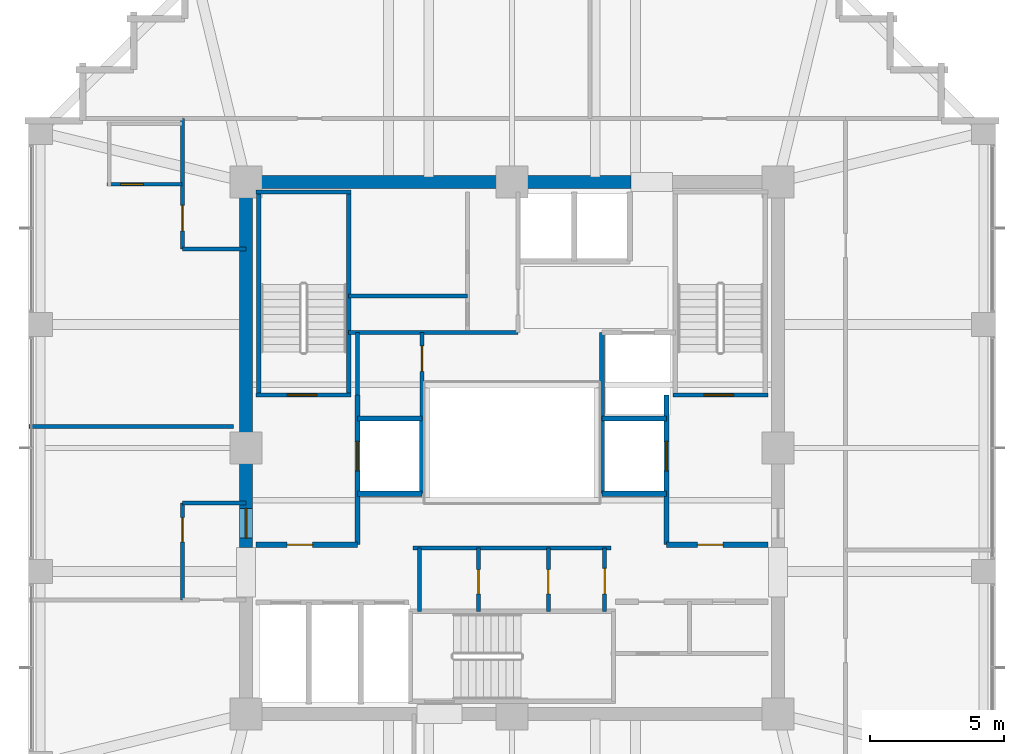
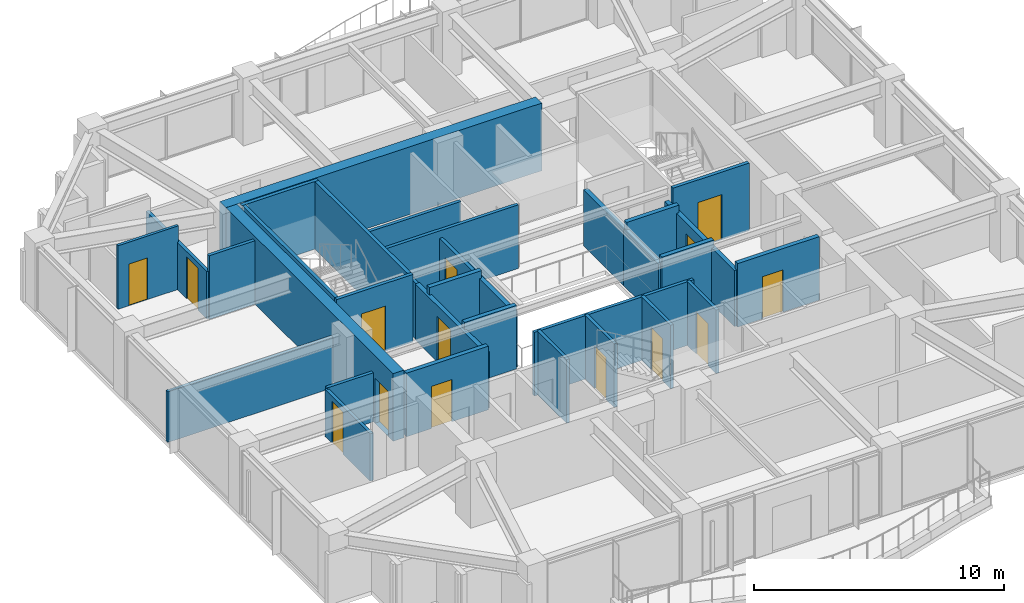
# One storey, part 27 of 31: 33 walls, 14 doors, 14 openings.
"""IFC4 building model written with IfcOpenShell, lengths in metres."""

from ifc_helpers import new_model, si_unit, direction, frame, frame_2d, origin, place, context, subcontext, project, spatial, rectangle, extrude, material, layer, layer_set, type_object, element, fill, save


model = new_model("IFC4")

# Units and contexts
model_context = context("Model", 3, precision=1e-05, world=origin(), true_north=direction((0.0, 1.0)))
body_context = subcontext(model_context, "Body", "Model", "MODEL_VIEW")
ifc_project = project(units=[si_unit("LENGTHUNIT", "METRE"), si_unit("AREAUNIT", "SQUARE_METRE"), si_unit("VOLUMEUNIT", "CUBIC_METRE"), si_unit("PLANEANGLEUNIT", "RADIAN"), si_unit("MASSUNIT", "GRAM", prefix="KILO")], contexts=[model_context])

# Site, building, storey
site_placement = place(None, origin())
site = spatial("IfcSite", under=ifc_project, at=site_placement, CompositionType="ELEMENT")
building_placement = place(site_placement, origin())
building = spatial("IfcBuilding", under=site, at=building_placement, Name="Kolvaren Belvedere", CompositionType="ELEMENT")
storey_placement = place(building_placement, frame((0.0, 0.0, 138.199951171875)))
storey = spatial("IfcBuildingStorey", under=building, at=storey_placement, Name="L40", CompositionType="ELEMENT", Elevation=138.199951171875)

# Wall
ifc_material_1 = material(Name="Concrete C50/60", Category="concrete")
ifc_layer_1 = layer(ifc_material_1, 0.5)
ifc_layer_set_1 = layer_set([ifc_layer_1], Name="Concrete C50/60")
wall_type_1 = type_object("IfcWallType", Name="CW-CORE-500", PredefinedType="SHEAR", material=ifc_layer_set_1)
wall_1_placement = place(storey_placement, frame((-10.14990234375, 9.89990234375, 0.0), z_axis=(0.0, 0.0, 1.0), x_axis=(1.0, 0.0, 0.0)))
element("IfcWall", 1, at=wall_1_placement, inside=storey, type_object=wall_type_1, Name="L40 North Core Shear Wall 1", PredefinedType="SHEAR", context=body_context, shape_type="SweptSolid", body=[
    extrude(rectangle(XDim=14.56982421875, YDim=0.5, at=frame_2d((7.284912109375, 0.0))), origin(), (0.0, 0.0, 1.0), 3.300048828125),
])

# Wall, opening, door
wall_2_placement = place(storey_placement, frame((-9.89990234375, -3.699951171875, 0.0), z_axis=(0.0, 0.0, 1.0), x_axis=(0.0, 1.0, 0.0)))
wall_2 = element("IfcWall", 2, at=wall_2_placement, inside=storey, type_object=wall_type_1, Name="L40 West Core Shear Wall 2", PredefinedType="SHEAR", context=body_context, shape_type="SweptSolid", body=[
    extrude(rectangle(XDim=13.349853515625, YDim=0.5, at=frame_2d((6.6748046875, 0.0))), origin(), (0.0, 0.0, 1.0), 3.300048828125),
])
opening_1_placement = place(wall_2_placement, frame((0.35009765625, 0.0, 0.0)))
opening_1 = element("IfcOpeningElement", 3, at=opening_1_placement, cuts=wall_2, Name="Opening D-FD90", PredefinedType="OPENING", context=body_context, shape_type="SweptSolid", body=[
    extrude(rectangle(XDim=1.10009765625, YDim=2.199951171875, at=frame_2d((0.550048828125, 1.10009765625))), frame((0.0, 0.260009765625, 0.0), z_axis=(0.0, -1.0, 0.0), x_axis=(1.0, 0.0, 0.0)), (0.0, 0.0, 1.0), 0.52001953125),
])
ifc_material_2 = material(Name="Painted hollow stainless steel", Category="steel")
door_type_1 = type_object("IfcDoorType", Name="DR-FD90-1100", OperationType="NOTDEFINED", PredefinedType="DOOR", material=ifc_material_2)
door_1_placement = place(opening_1_placement, origin())
door_1 = element("IfcDoor", 4, at=door_1_placement, inside=storey, type_object=door_type_1, Name="L40 West Firefighting Lobby Fire Door", OperationType="SINGLE_SWING_LEFT", OverallHeight=2.199951171875, OverallWidth=1.10009765625, PredefinedType="DOOR", context=body_context, shape_type="SweptSolid", body=[
    extrude(rectangle(XDim=1.10009765625, YDim=2.199951171875, at=frame_2d((0.550048828125, 1.10009765625))), frame((0.0, 0.02490234375, 0.0), z_axis=(0.0, -1.0, 0.0), x_axis=(1.0, 0.0, 0.0)), (0.0, 0.0, 1.0), 0.050048828125),
])
fill(opening_1, door_1)

ifc_material_3 = material(Name="Concrete C50/60", Category="concrete")
ifc_layer_2 = layer(ifc_material_3, 0.159912109375)
ifc_layer_set_2 = layer_set([ifc_layer_2], Name="Concrete C50/60")
wall_type_2 = type_object("IfcWallType", Name="CW-STAIR-160", PredefinedType="SHEAR", material=ifc_layer_set_2)
wall_3_placement = place(storey_placement, frame((-9.52001953125, 1.969970703125, 0.0), z_axis=(0.0, 0.0, 1.0), x_axis=(1.0, 0.0, 0.0)))
wall_3 = element("IfcWall", 5, at=wall_3_placement, inside=storey, type_object=wall_type_2, Name="L40 Stair ST-1 South Shear Wall", PredefinedType="SHEAR", context=body_context, shape_type="SweptSolid", body=[
    extrude(rectangle(XDim=3.52001953125, YDim=0.159912109375, at=frame_2d((1.760009765625, 0.0))), origin(), (0.0, 0.0, 1.0), 3.300048828125),
])
opening_2_placement = place(wall_3_placement, frame((1.14990234375, 0.0, 0.0)))
opening_2 = element("IfcOpeningElement", 6, at=opening_2_placement, cuts=wall_3, Name="Opening D-FD90", PredefinedType="OPENING", context=body_context, shape_type="SweptSolid", body=[
    extrude(rectangle(XDim=1.10009765625, YDim=2.199951171875, at=frame_2d((0.550048828125, 1.10009765625))), frame((0.0, 0.08984375, 0.0), z_axis=(0.0, -1.0, 0.0), x_axis=(1.0, 0.0, 0.0)), (0.0, 0.0, 1.0), 0.179931640625),
])
door_2_placement = place(opening_2_placement, origin())
door_2 = element("IfcDoor", 7, at=door_2_placement, inside=storey, type_object=door_type_1, Name="L40 Stair ST-1 Fire Door", OperationType="SINGLE_SWING_LEFT", OverallHeight=2.199951171875, OverallWidth=1.10009765625, PredefinedType="DOOR", context=body_context, shape_type="SweptSolid", body=[
    extrude(rectangle(XDim=1.10009765625, YDim=2.199951171875, at=frame_2d((0.550048828125, 1.10009765625))), frame((0.0, 0.02490234375, 0.0), z_axis=(0.0, -1.0, 0.0), x_axis=(1.0, 0.0, 0.0)), (0.0, 0.0, 1.0), 0.050048828125),
])
fill(opening_2, door_2)

# Walls
wall_4_placement = place(storey_placement, frame((-9.52001953125, 9.530029296875, 0.0), z_axis=(0.0, 0.0, 1.0), x_axis=(1.0, 0.0, 0.0)))
element("IfcWall", 8, at=wall_4_placement, inside=storey, type_object=wall_type_2, Name="L40 Stair ST-1 North Shear Wall", PredefinedType="SHEAR", context=body_context, shape_type="SweptSolid", body=[
    extrude(rectangle(XDim=3.52001953125, YDim=0.159912109375, at=frame_2d((1.760009765625, 0.0))), origin(), (0.0, 0.0, 1.0), 3.300048828125),
])
for number, where, z_axis, x_axis, name in (
    (9, (-9.429931640625, 1.969970703125, 0.0), (0.0, 0.0, 1.0), (0.0, 1.0, 0.0), "L40 Stair ST-1 West Shear Wall"),
    (10, (-6.080078125, 1.969970703125, 0.0), (0.0, 0.0, 1.0), (0.0, 1.0, 0.0), "L40 Stair ST-1 East Shear Wall"),
):
    element("IfcWall", number, at=place(storey_placement, frame(where, z_axis=z_axis, x_axis=x_axis)), inside=storey, type_object=wall_type_2, Name=name, PredefinedType="SHEAR", context=body_context, shape_type="SweptSolid", body=[
        extrude(rectangle(XDim=7.56005859375, YDim=0.159912109375, at=frame_2d((3.780029296875, 0.0))), origin(), (0.0, 0.0, 1.0), 3.300048828125),
    ])

# Wall, opening, door
wall_5_placement = place(storey_placement, frame((6.0, 1.969970703125, 0.0), z_axis=(0.0, 0.0, 1.0), x_axis=(1.0, 0.0, 0.0)))
wall_5 = element("IfcWall", 11, at=wall_5_placement, inside=storey, type_object=wall_type_2, Name="L40 Stair ST-2 South Shear Wall", PredefinedType="SHEAR", context=body_context, shape_type="SweptSolid", body=[
    extrude(rectangle(XDim=3.52001953125, YDim=0.159912109375, at=frame_2d((1.760009765625, 0.0))), origin(), (0.0, 0.0, 1.0), 3.300048828125),
])
opening_3_placement = place(wall_5_placement, frame((1.14990234375, 0.0, 0.0)))
opening_3 = element("IfcOpeningElement", 12, at=opening_3_placement, cuts=wall_5, Name="Opening D-FD90", PredefinedType="OPENING", context=body_context, shape_type="SweptSolid", body=[
    extrude(rectangle(XDim=1.10009765625, YDim=2.199951171875, at=frame_2d((0.550048828125, 1.10009765625))), frame((0.0, 0.08984375, 0.0), z_axis=(0.0, -1.0, 0.0), x_axis=(1.0, 0.0, 0.0)), (0.0, 0.0, 1.0), 0.179931640625),
])
door_3_placement = place(opening_3_placement, origin())
door_3 = element("IfcDoor", 13, at=door_3_placement, inside=storey, type_object=door_type_1, Name="L40 Stair ST-2 Fire Door", OperationType="SINGLE_SWING_RIGHT", OverallHeight=2.199951171875, OverallWidth=1.10009765625, PredefinedType="DOOR", context=body_context, shape_type="SweptSolid", body=[
    extrude(rectangle(XDim=1.10009765625, YDim=2.199951171875, at=frame_2d((0.550048828125, 1.10009765625))), frame((0.0, 0.02490234375, 0.0), z_axis=(0.0, -1.0, 0.0), x_axis=(1.0, 0.0, 0.0)), (0.0, 0.0, 1.0), 0.050048828125),
])
fill(opening_3, door_3)

ifc_material_4 = material(Name="Gypsum fire-rated partition assembly", Category="gypsum")
ifc_layer_3 = layer(ifc_material_4, 0.14990234375)
ifc_layer_set_3 = layer_set([ifc_layer_3], Name="Gypsum fire-rated partition assembly")
wall_type_3 = type_object("IfcWallType", Name="WL-CORR-150", PredefinedType="PARTITIONING", material=ifc_layer_set_3)
wall_6_placement = place(storey_placement, frame((-12.260009765625, 7.39990234375, 0.0), z_axis=(0.0, 0.0, 1.0), x_axis=(0.0, 1.0, 0.0)))
wall_6 = element("IfcWall", 14, at=wall_6_placement, inside=storey, type_object=wall_type_3, Name="L40 NW Corridor End Wall", PredefinedType="PARTITIONING", context=body_context, shape_type="SweptSolid", body=[
    extrude(rectangle(XDim=4.860107421875, YDim=0.14990234375, at=frame_2d((2.43017578125, 0.0))), origin(), (0.0, 0.0, 1.0), 2.31201171875),
])
opening_4_placement = place(wall_6_placement, frame((0.682861328125, 0.0, 0.0)))
opening_4 = element("IfcOpeningElement", 15, at=opening_4_placement, cuts=wall_6, Name="Opening D-FD60", PredefinedType="OPENING", context=body_context, shape_type="SweptSolid", body=[
    extrude(rectangle(XDim=0.949951171875, YDim=2.06005859375, at=frame_2d((0.47509765625, 1.030029296875))), frame((0.0, 0.0849609375, 0.0), z_axis=(0.0, -1.0, 0.0), x_axis=(1.0, 0.0, 0.0)), (0.0, 0.0, 1.0), 0.169921875),
])
ifc_material_5 = material(Name="Acoustic white-oak fire door leaf", Category="timber")
door_type_2 = type_object("IfcDoorType", Name="DR-FD60-950", OperationType="NOTDEFINED", PredefinedType="DOOR", material=ifc_material_5)
door_4_placement = place(opening_4_placement, origin())
door_4 = element("IfcDoor", 16, at=door_4_placement, inside=storey, type_object=door_type_2, Name="L40 Panoramic Corner Hospitality Suite 4005 Entry Door", OperationType="SINGLE_SWING_RIGHT", OverallHeight=2.06005859375, OverallWidth=0.949951171875, PredefinedType="DOOR", context=body_context, shape_type="SweptSolid", body=[
    extrude(rectangle(XDim=0.949951171875, YDim=2.06005859375, at=frame_2d((0.47509765625, 1.030029296875))), frame((0.0, 0.02490234375, 0.0), z_axis=(0.0, -1.0, 0.0), x_axis=(1.0, 0.0, 0.0)), (0.0, 0.0, 1.0), 0.050048828125),
])
fill(opening_4, door_4)

# Wall
wall_7_placement = place(storey_placement, frame((-12.260009765625, 7.39990234375, 0.0), z_axis=(0.0, 0.0, 1.0), x_axis=(1.0, 0.0, 0.0)))
element("IfcWall", 17, at=wall_7_placement, inside=storey, type_object=wall_type_3, Name="L40 NW Core Closure Wall", PredefinedType="PARTITIONING", context=body_context, shape_type="SweptSolid", body=[
    extrude(rectangle(XDim=2.360107421875, YDim=0.14990234375, at=frame_2d((1.18017578125, 0.0))), origin(), (0.0, 0.0, 1.0), 3.10009765625),
])

# Wall, opening, door
wall_8_placement = place(storey_placement, frame((-12.260009765625, -5.64990234375, 0.0), z_axis=(0.0, 0.0, 1.0), x_axis=(0.0, 1.0, 0.0)))
wall_8 = element("IfcWall", 18, at=wall_8_placement, inside=storey, type_object=wall_type_3, Name="L40 West FSAE Pocket Wall", PredefinedType="PARTITIONING", context=body_context, shape_type="SweptSolid", body=[
    extrude(rectangle(XDim=3.599853515625, YDim=0.14990234375, at=frame_2d((1.7998046875, 0.0))), origin(), (0.0, 0.0, 1.0), 2.31201171875),
])
opening_5_placement = place(wall_8_placement, frame((2.15625, 0.0, 0.0)))
opening_5 = element("IfcOpeningElement", 19, at=opening_5_placement, cuts=wall_8, Name="Opening D-INT90", PredefinedType="OPENING", context=body_context, shape_type="SweptSolid", body=[
    extrude(rectangle(XDim=0.89990234375, YDim=2.06005859375, at=frame_2d((0.449951171875, 1.030029296875))), frame((0.0, 0.0849609375, 0.0), z_axis=(0.0, -1.0, 0.0), x_axis=(1.0, 0.0, 0.0)), (0.0, 0.0, 1.0), 0.169921875),
])
ifc_material_6 = material(Name="Stained Pacific white oak", Category="timber")
door_type_3 = type_object("IfcDoorType", Name="DR-INT-900", OperationType="NOTDEFINED", PredefinedType="DOOR", material=ifc_material_6)
door_5_placement = place(opening_5_placement, origin())
door_5 = element("IfcDoor", 20, at=door_5_placement, inside=storey, type_object=door_type_3, Name="L40 Lounge 4006 Door", OperationType="SINGLE_SWING_LEFT", OverallHeight=2.06005859375, OverallWidth=0.89990234375, PredefinedType="DOOR", context=body_context, shape_type="SweptSolid", body=[
    extrude(rectangle(XDim=0.89990234375, YDim=2.06005859375, at=frame_2d((0.449951171875, 1.030029296875))), frame((0.0, 0.02490234375, 0.0), z_axis=(0.0, -1.0, 0.0), x_axis=(1.0, 0.0, 0.0)), (0.0, 0.0, 1.0), 0.050048828125),
])
fill(opening_5, door_5)

# Walls
wall_9_placement = place(storey_placement, frame((-12.260009765625, -2.050048828125, 0.0), z_axis=(0.0, 0.0, 1.0), x_axis=(1.0, 0.0, 0.0)))
element("IfcWall", 21, at=wall_9_placement, inside=storey, type_object=wall_type_3, Name="L40 West Pocket North Closure Wall", PredefinedType="PARTITIONING", context=body_context, shape_type="SweptSolid", body=[
    extrude(rectangle(XDim=2.360107421875, YDim=0.14990234375, at=frame_2d((1.18017578125, 0.0))), origin(), (0.0, 0.0, 1.0), 2.38916015625),
])
ifc_material_7 = material(Name="Gypsum acoustic partition assembly", Category="gypsum")
ifc_layer_4 = layer(ifc_material_7, 0.14990234375)
ifc_layer_set_4 = layer_set([ifc_layer_4], Name="Gypsum acoustic partition assembly")
wall_type_4 = type_object("IfcWallType", Name="WL-PART-150", PredefinedType="PARTITIONING", material=ifc_layer_set_4)
wall_10_placement = place(storey_placement, frame((-6.080078125, 4.300048828125, 0.0), z_axis=(0.0, 0.0, 1.0), x_axis=(1.0, 0.0, 0.0)))
element("IfcWall", 22, at=wall_10_placement, inside=storey, type_object=wall_type_4, Name="L40 Reclaimed Salon South Wall", PredefinedType="PARTITIONING", context=body_context, shape_type="SweptSolid", body=[
    extrude(rectangle(XDim=6.300048828125, YDim=0.14990234375, at=frame_2d((3.14990234375, 0.0))), origin(), (0.0, 0.0, 1.0), 3.10009765625),
])
wall_11_placement = place(storey_placement, frame((-6.080078125, 5.64990234375, 0.0), z_axis=(0.0, 0.0, 1.0), x_axis=(1.0, 0.0, 0.0)))
element("IfcWall", 23, at=wall_11_placement, inside=storey, type_object=wall_type_4, Name="L40 Reclaimed Tearoom H-Divider", PredefinedType="PARTITIONING", context=body_context, shape_type="SweptSolid", body=[
    extrude(rectangle(XDim=4.43017578125, YDim=0.14990234375, at=frame_2d((2.215087890625, 0.0))), origin(), (0.0, 0.0, 1.0), 3.10009765625),
])
wall_12_placement = place(storey_placement, frame((-3.679931640625, -3.719970703125, 0.0), z_axis=(0.0, 0.0, 1.0), x_axis=(1.0, 0.0, 0.0)))
element("IfcWall", 24, at=wall_12_placement, inside=storey, type_object=wall_type_4, Name="L40 South Core Service North Wall", PredefinedType="PARTITIONING", context=body_context, shape_type="SweptSolid", body=[
    extrude(rectangle(XDim=7.35986328125, YDim=0.14990234375, at=frame_2d((3.679931640625, 0.0))), origin(), (0.0, 0.0, 1.0), 3.10009765625),
])

# Wall, opening, door
wall_13_placement = place(storey_placement, frame((3.449951171875, -6.080078125, 0.0), z_axis=(0.0, 0.0, 1.0), x_axis=(0.0, 1.0, 0.0)))
wall_13 = element("IfcWall", 25, at=wall_13_placement, inside=storey, type_object=wall_type_4, Name="L40 South Core Service East Wall", PredefinedType="PARTITIONING", context=body_context, shape_type="SweptSolid", body=[
    extrude(rectangle(XDim=2.360107421875, YDim=0.14990234375, at=frame_2d((1.18017578125, 0.0))), origin(), (0.0, 0.0, 1.0), 3.10009765625),
])
opening_6_placement = place(wall_13_placement, frame((0.64990234375, 0.0, 0.0)))
opening_6 = element("IfcOpeningElement", 26, at=opening_6_placement, cuts=wall_13, Name="Opening D-FD60", PredefinedType="OPENING", context=body_context, shape_type="SweptSolid", body=[
    extrude(rectangle(XDim=0.949951171875, YDim=2.06005859375, at=frame_2d((0.47509765625, 1.030029296875))), frame((0.0, 0.0849609375, 0.0), z_axis=(0.0, -1.0, 0.0), x_axis=(1.0, 0.0, 0.0)), (0.0, 0.0, 1.0), 0.169921875),
])
door_6_placement = place(opening_6_placement, origin())
door_6 = element("IfcDoor", 27, at=door_6_placement, inside=storey, type_object=door_type_2, Name="L40 Core Service Room Door", OperationType="SINGLE_SWING_LEFT", OverallHeight=2.06005859375, OverallWidth=0.949951171875, PredefinedType="DOOR", context=body_context, shape_type="SweptSolid", body=[
    extrude(rectangle(XDim=0.949951171875, YDim=2.06005859375, at=frame_2d((0.47509765625, 1.030029296875))), frame((0.0, 0.02490234375, 0.0), z_axis=(0.0, -1.0, 0.0), x_axis=(1.0, 0.0, 0.0)), (0.0, 0.0, 1.0), 0.050048828125),
])
fill(opening_6, door_6)

# Wall
wall_14_placement = place(storey_placement, frame((-3.449951171875, -6.080078125, 0.0), z_axis=(0.0, 0.0, 1.0), x_axis=(0.0, 1.0, 0.0)))
element("IfcWall", 28, at=wall_14_placement, inside=storey, type_object=wall_type_4, Name="L40 South Core Service West Wall", PredefinedType="PARTITIONING", context=body_context, shape_type="SweptSolid", body=[
    extrude(rectangle(XDim=2.360107421875, YDim=0.14990234375, at=frame_2d((1.18017578125, 0.0))), origin(), (0.0, 0.0, 1.0), 3.10009765625),
])

# Wall, opening, door
wall_15_placement = place(storey_placement, frame((1.35009765625, -6.080078125, 0.0), z_axis=(0.0, 0.0, 1.0), x_axis=(0.0, 1.0, 0.0)))
wall_15 = element("IfcWall", 29, at=wall_15_placement, inside=storey, type_object=wall_type_4, Name="L40 Core Service Divider 1", PredefinedType="PARTITIONING", context=body_context, shape_type="SweptSolid", body=[
    extrude(rectangle(XDim=2.360107421875, YDim=0.14990234375, at=frame_2d((1.18017578125, 0.0))), origin(), (0.0, 0.0, 1.0), 3.10009765625),
])
opening_7_placement = place(wall_15_placement, frame((0.64990234375, 0.0, 0.0)))
opening_7 = element("IfcOpeningElement", 30, at=opening_7_placement, cuts=wall_15, Name="Opening D-INT90", PredefinedType="OPENING", context=body_context, shape_type="SweptSolid", body=[
    extrude(rectangle(XDim=0.89990234375, YDim=2.06005859375, at=frame_2d((0.449951171875, 1.030029296875))), frame((0.0, 0.0849609375, 0.0), z_axis=(0.0, -1.0, 0.0), x_axis=(1.0, 0.0, 0.0)), (0.0, 0.0, 1.0), 0.169921875),
])
door_7_placement = place(opening_7_placement, origin())
door_7 = element("IfcDoor", 31, at=door_7_placement, inside=storey, type_object=door_type_3, Name="L40 Data Closet Door", OperationType="SINGLE_SWING_RIGHT", OverallHeight=2.06005859375, OverallWidth=0.89990234375, PredefinedType="DOOR", context=body_context, shape_type="SweptSolid", body=[
    extrude(rectangle(XDim=0.89990234375, YDim=2.06005859375, at=frame_2d((0.449951171875, 1.030029296875))), frame((0.0, 0.02490234375, 0.0), z_axis=(0.0, -1.0, 0.0), x_axis=(1.0, 0.0, 0.0)), (0.0, 0.0, 1.0), 0.050048828125),
])
fill(opening_7, door_7)

wall_16_placement = place(storey_placement, frame((-1.25, -6.080078125, 0.0), z_axis=(0.0, 0.0, 1.0), x_axis=(0.0, 1.0, 0.0)))
wall_16 = element("IfcWall", 32, at=wall_16_placement, inside=storey, type_object=wall_type_4, Name="L40 Core Service Divider 2", PredefinedType="PARTITIONING", context=body_context, shape_type="SweptSolid", body=[
    extrude(rectangle(XDim=2.360107421875, YDim=0.14990234375, at=frame_2d((1.18017578125, 0.0))), origin(), (0.0, 0.0, 1.0), 3.10009765625),
])
opening_8_placement = place(wall_16_placement, frame((0.64990234375, 0.0, 0.0)))
opening_8 = element("IfcOpeningElement", 33, at=opening_8_placement, cuts=wall_16, Name="Opening D-INT90", PredefinedType="OPENING", context=body_context, shape_type="SweptSolid", body=[
    extrude(rectangle(XDim=0.89990234375, YDim=2.06005859375, at=frame_2d((0.449951171875, 1.030029296875))), frame((0.0, 0.0849609375, 0.0), z_axis=(0.0, -1.0, 0.0), x_axis=(1.0, 0.0, 0.0)), (0.0, 0.0, 1.0), 0.169921875),
])
door_8_placement = place(opening_8_placement, origin())
door_8 = element("IfcDoor", 34, at=door_8_placement, inside=storey, type_object=door_type_3, Name="L40 Janitor Room Door", OperationType="SINGLE_SWING_LEFT", OverallHeight=2.06005859375, OverallWidth=0.89990234375, PredefinedType="DOOR", context=body_context, shape_type="SweptSolid", body=[
    extrude(rectangle(XDim=0.89990234375, YDim=2.06005859375, at=frame_2d((0.449951171875, 1.030029296875))), frame((0.0, 0.02490234375, 0.0), z_axis=(0.0, -1.0, 0.0), x_axis=(1.0, 0.0, 0.0)), (0.0, 0.0, 1.0), 0.050048828125),
])
fill(opening_8, door_8)

wall_17_placement = place(storey_placement, frame((-3.35009765625, 1.10009765625, 0.0), z_axis=(0.0, 0.0, 1.0), x_axis=(0.0, 1.0, 0.0)))
wall_17 = element("IfcWall", 35, at=wall_17_placement, inside=storey, type_object=wall_type_4, Name="L40 NW Service Room East Wall", PredefinedType="PARTITIONING", context=body_context, shape_type="SweptSolid", body=[
    extrude(rectangle(XDim=3.199951171875, YDim=0.14990234375, at=frame_2d((1.60009765625, 0.0))), origin(), (0.0, 0.0, 1.0), 2.735107421875),
])
opening_9_placement = place(wall_17_placement, frame((1.75, 0.0, 0.0)))
opening_9 = element("IfcOpeningElement", 36, at=opening_9_placement, cuts=wall_17, Name="Opening D-FD60", PredefinedType="OPENING", context=body_context, shape_type="SweptSolid", body=[
    extrude(rectangle(XDim=0.949951171875, YDim=2.06005859375, at=frame_2d((0.47509765625, 1.030029296875))), frame((0.0, 0.0849609375, 0.0), z_axis=(0.0, -1.0, 0.0), x_axis=(1.0, 0.0, 0.0)), (0.0, 0.0, 1.0), 0.169921875),
])
door_9_placement = place(opening_9_placement, origin())
door_9 = element("IfcDoor", 37, at=door_9_placement, inside=storey, type_object=door_type_2, Name="L40 NW Core Store Door", OperationType="SINGLE_SWING_LEFT", OverallHeight=2.06005859375, OverallWidth=0.949951171875, PredefinedType="DOOR", context=body_context, shape_type="SweptSolid", body=[
    extrude(rectangle(XDim=0.949951171875, YDim=2.06005859375, at=frame_2d((0.47509765625, 1.030029296875))), frame((0.0, 0.02490234375, 0.0), z_axis=(0.0, -1.0, 0.0), x_axis=(1.0, 0.0, 0.0)), (0.0, 0.0, 1.0), 0.050048828125),
])
fill(opening_9, door_9)

# Walls
wall_18_placement = place(storey_placement, frame((-5.75, 1.969970703125, 0.0), z_axis=(0.0, 0.0, 1.0), x_axis=(0.0, 1.0, 0.0)))
element("IfcWall", 38, at=wall_18_placement, inside=storey, type_object=wall_type_4, Name="L40 NW Service Room West Wall", PredefinedType="PARTITIONING", context=body_context, shape_type="SweptSolid", body=[
    extrude(rectangle(XDim=2.330078125, YDim=0.14990234375, at=frame_2d((1.1650390625, 0.0))), origin(), (0.0, 0.0, 1.0), 2.735107421875),
])
wall_19_placement = place(storey_placement, frame((-17.97998046875, 0.800048828125, 0.0), z_axis=(0.0, 0.0, 1.0), x_axis=(1.0, 0.0, 0.0)))
element("IfcWall", 39, at=wall_19_placement, inside=storey, type_object=wall_type_4, Name="L40 West Upper Suite Divider", PredefinedType="PARTITIONING", context=body_context, shape_type="SweptSolid", body=[
    extrude(rectangle(XDim=7.619873046875, YDim=0.14990234375, at=frame_2d((3.81005859375, 0.0))), origin(), (0.0, 0.0, 1.0), 2.468994140625),
])

# Wall, opening, door
ifc_material_8 = material(Name="Concrete C50/60", Category="concrete")
ifc_layer_5 = layer(ifc_material_8, 0.199951171875)
ifc_layer_set_5 = layer_set([ifc_layer_5], Name="Concrete C50/60")
wall_type_5 = type_object("IfcWallType", Name="WL-SHAFT-200", PredefinedType="SOLIDWALL", material=ifc_layer_set_5)
wall_20_placement = place(storey_placement, frame((-9.52001953125, -3.60009765625, 0.0), z_axis=(0.0, 0.0, 1.0), x_axis=(1.0, 0.0, 0.0)))
wall_20 = element("IfcWall", 40, at=wall_20_placement, inside=storey, type_object=wall_type_5, Name="L40 West FSAE Lobby South Wall", PredefinedType="SOLIDWALL", context=body_context, shape_type="SweptSolid", body=[
    extrude(rectangle(XDim=3.77001953125, YDim=0.199951171875, at=frame_2d((1.885009765625, 0.0))), origin(), (0.0, 0.0, 1.0), 3.10009765625),
])
opening_10_placement = place(wall_20_placement, frame((1.14990234375, 0.0, 0.0)))
opening_10 = element("IfcOpeningElement", 41, at=opening_10_placement, cuts=wall_20, Name="Opening D-FD60", PredefinedType="OPENING", context=body_context, shape_type="SweptSolid", body=[
    extrude(rectangle(XDim=0.949951171875, YDim=2.06005859375, at=frame_2d((0.47509765625, 1.030029296875))), frame((0.0, 0.10986328125, 0.0), z_axis=(0.0, -1.0, 0.0), x_axis=(1.0, 0.0, 0.0)), (0.0, 0.0, 1.0), 0.219970703125),
])
door_10_placement = place(opening_10_placement, origin())
door_10 = element("IfcDoor", 42, at=door_10_placement, inside=storey, type_object=door_type_2, Name="L40 Mid-Rise Lift Lobby Fire Door", OperationType="SINGLE_SWING_LEFT", OverallHeight=2.06005859375, OverallWidth=0.949951171875, PredefinedType="DOOR", context=body_context, shape_type="SweptSolid", body=[
    extrude(rectangle(XDim=0.949951171875, YDim=2.06005859375, at=frame_2d((0.47509765625, 1.030029296875))), frame((0.0, 0.02490234375, 0.0), z_axis=(0.0, -1.0, 0.0), x_axis=(1.0, 0.0, 0.0)), (0.0, 0.0, 1.0), 0.050048828125),
])
fill(opening_10, door_10)

wall_21_placement = place(storey_placement, frame((-5.75, -3.60009765625, 0.0), z_axis=(0.0, 0.0, 1.0), x_axis=(0.0, 1.0, 0.0)))
wall_21 = element("IfcWall", 43, at=wall_21_placement, inside=storey, type_object=wall_type_5, Name="L40 FSAE FS1 Landing Wall", PredefinedType="SOLIDWALL", context=body_context, shape_type="SweptSolid", body=[
    extrude(rectangle(XDim=5.570068359375, YDim=0.199951171875, at=frame_2d((2.78515625, 0.0))), origin(), (0.0, 0.0, 1.0), 2.735107421875),
])
opening_11_placement = place(wall_21_placement, frame((2.75, 0.0, 0.0)))
opening_11 = element("IfcOpeningElement", 44, at=opening_11_placement, cuts=wall_21, Name="Opening LD-11", PredefinedType="OPENING", context=body_context, shape_type="SweptSolid", body=[
    extrude(rectangle(XDim=1.10009765625, YDim=2.199951171875, at=frame_2d((0.550048828125, 1.10009765625))), frame((0.0, 0.10986328125, 0.0), z_axis=(0.0, -1.0, 0.0), x_axis=(1.0, 0.0, 0.0)), (0.0, 0.0, 1.0), 0.219970703125),
])
ifc_material_9 = material(Name="Brushed stainless steel", Category="steel")
door_type_4 = type_object("IfcDoorType", Name="DR-LIFT-1100", OperationType="DOUBLE_DOOR_SLIDING", PredefinedType="DOOR", material=ifc_material_9)
door_11_placement = place(opening_11_placement, origin())
door_11 = element("IfcDoor", 45, at=door_11_placement, inside=storey, type_object=door_type_4, Name="L40 Firefighting Lift FS1 Landing Door", OperationType="DOUBLE_DOOR_SLIDING", OverallHeight=2.199951171875, OverallWidth=1.10009765625, PredefinedType="DOOR", context=body_context, shape_type="SweptSolid", body=[
    extrude(rectangle(XDim=1.10009765625, YDim=2.199951171875, at=frame_2d((0.550048828125, 1.10009765625))), frame((0.0, 0.02490234375, 0.0), z_axis=(0.0, -1.0, 0.0), x_axis=(1.0, 0.0, 0.0)), (0.0, 0.0, 1.0), 0.050048828125),
])
fill(opening_11, door_11)

# Walls
wall_22_placement = place(storey_placement, frame((-3.35009765625, -1.699951171875, 0.0), z_axis=(0.0, 0.0, 1.0), x_axis=(0.0, 1.0, 0.0)))
element("IfcWall", 46, at=wall_22_placement, inside=storey, type_object=wall_type_5, Name="L40 FSAE FS1 Back Wall", PredefinedType="SOLIDWALL", context=body_context, shape_type="SweptSolid", body=[
    extrude(rectangle(XDim=2.800048828125, YDim=0.199951171875, at=frame_2d((1.39990234375, 0.0))), origin(), (0.0, 0.0, 1.0), 2.735107421875),
])
for number, where, z_axis, x_axis, name in (
    (47, (-5.75, -1.699951171875, 0.0), (0.0, 0.0, 1.0), (1.0, 0.0, 0.0), "L40 FSAE FS1 South Wall"),
    (48, (-5.75, 1.10009765625, 0.0), (0.0, 0.0, 1.0), (1.0, 0.0, 0.0), "L40 FSAE FS1 North Wall"),
):
    element("IfcWall", number, at=place(storey_placement, frame(where, z_axis=z_axis, x_axis=x_axis)), inside=storey, type_object=wall_type_5, Name=name, PredefinedType="SOLIDWALL", context=body_context, shape_type="SweptSolid", body=[
        extrude(rectangle(XDim=2.39990234375, YDim=0.199951171875, at=frame_2d((1.199951171875, 0.0))), origin(), (0.0, 0.0, 1.0), 3.10009765625),
    ])

# Wall, opening, door
wall_23_placement = place(storey_placement, frame((5.75, -3.60009765625, 0.0), z_axis=(0.0, 0.0, 1.0), x_axis=(1.0, 0.0, 0.0)))
wall_23 = element("IfcWall", 49, at=wall_23_placement, inside=storey, type_object=wall_type_5, Name="L40 East FSAE Lobby South Wall", PredefinedType="SOLIDWALL", context=body_context, shape_type="SweptSolid", body=[
    extrude(rectangle(XDim=3.77001953125, YDim=0.199951171875, at=frame_2d((1.885009765625, 0.0))), origin(), (0.0, 0.0, 1.0), 3.10009765625),
])
opening_12_placement = place(wall_23_placement, frame((1.14990234375, 0.0, 0.0)))
opening_12 = element("IfcOpeningElement", 50, at=opening_12_placement, cuts=wall_23, Name="Opening D-FD60", PredefinedType="OPENING", context=body_context, shape_type="SweptSolid", body=[
    extrude(rectangle(XDim=0.949951171875, YDim=2.06005859375, at=frame_2d((0.47509765625, 1.030029296875))), frame((0.0, 0.10986328125, 0.0), z_axis=(0.0, -1.0, 0.0), x_axis=(1.0, 0.0, 0.0)), (0.0, 0.0, 1.0), 0.219970703125),
])
door_12_placement = place(opening_12_placement, origin())
door_12 = element("IfcDoor", 51, at=door_12_placement, inside=storey, type_object=door_type_2, Name="L40 SE Lift Lobby Fire Door", OperationType="SINGLE_SWING_RIGHT", OverallHeight=2.06005859375, OverallWidth=0.949951171875, PredefinedType="DOOR", context=body_context, shape_type="SweptSolid", body=[
    extrude(rectangle(XDim=0.949951171875, YDim=2.06005859375, at=frame_2d((0.47509765625, 1.030029296875))), frame((0.0, 0.02490234375, 0.0), z_axis=(0.0, -1.0, 0.0), x_axis=(1.0, 0.0, 0.0)), (0.0, 0.0, 1.0), 0.050048828125),
])
fill(opening_12, door_12)

wall_24_placement = place(storey_placement, frame((5.75, -3.60009765625, 0.0), z_axis=(0.0, 0.0, 1.0), x_axis=(0.0, 1.0, 0.0)))
wall_24 = element("IfcWall", 52, at=wall_24_placement, inside=storey, type_object=wall_type_5, Name="L40 FSAE FS2 Landing Wall", PredefinedType="SOLIDWALL", context=body_context, shape_type="SweptSolid", body=[
    extrude(rectangle(XDim=5.570068359375, YDim=0.199951171875, at=frame_2d((2.78515625, 0.0))), origin(), (0.0, 0.0, 1.0), 2.735107421875),
])
opening_13_placement = place(wall_24_placement, frame((2.75, 0.0, 0.0)))
opening_13 = element("IfcOpeningElement", 53, at=opening_13_placement, cuts=wall_24, Name="Opening LD-11", PredefinedType="OPENING", context=body_context, shape_type="SweptSolid", body=[
    extrude(rectangle(XDim=1.10009765625, YDim=2.199951171875, at=frame_2d((0.550048828125, 1.10009765625))), frame((0.0, 0.10986328125, 0.0), z_axis=(0.0, -1.0, 0.0), x_axis=(1.0, 0.0, 0.0)), (0.0, 0.0, 1.0), 0.219970703125),
])
door_13_placement = place(opening_13_placement, origin())
door_13 = element("IfcDoor", 54, at=door_13_placement, inside=storey, type_object=door_type_4, Name="L40 Firefighting Lift FS2 Landing Door", OperationType="DOUBLE_DOOR_SLIDING", OverallHeight=2.199951171875, OverallWidth=1.10009765625, PredefinedType="DOOR", context=body_context, shape_type="SweptSolid", body=[
    extrude(rectangle(XDim=1.10009765625, YDim=2.199951171875, at=frame_2d((0.550048828125, 1.10009765625))), frame((0.0, 0.02490234375, 0.0), z_axis=(0.0, -1.0, 0.0), x_axis=(1.0, 0.0, 0.0)), (0.0, 0.0, 1.0), 0.050048828125),
])
fill(opening_13, door_13)

# Walls
wall_25_placement = place(storey_placement, frame((3.35009765625, -1.699951171875, 0.0), z_axis=(0.0, 0.0, 1.0), x_axis=(0.0, 1.0, 0.0)))
element("IfcWall", 55, at=wall_25_placement, inside=storey, type_object=wall_type_5, Name="L40 FSAE FS2 Back Wall", PredefinedType="SOLIDWALL", context=body_context, shape_type="SweptSolid", body=[
    extrude(rectangle(XDim=2.800048828125, YDim=0.199951171875, at=frame_2d((1.39990234375, 0.0))), origin(), (0.0, 0.0, 1.0), 2.735107421875),
])
for number, where, z_axis, x_axis, name in (
    (56, (3.35009765625, -1.699951171875, 0.0), (0.0, 0.0, 1.0), (1.0, 0.0, 0.0), "L40 FSAE FS2 South Wall"),
    (57, (3.35009765625, 1.10009765625, 0.0), (0.0, 0.0, 1.0), (1.0, 0.0, 0.0), "L40 FSAE FS2 North Wall"),
):
    element("IfcWall", number, at=place(storey_placement, frame(where, z_axis=z_axis, x_axis=x_axis)), inside=storey, type_object=wall_type_5, Name=name, PredefinedType="SOLIDWALL", context=body_context, shape_type="SweptSolid", body=[
        extrude(rectangle(XDim=2.39990234375, YDim=0.199951171875, at=frame_2d((1.199951171875, 0.0))), origin(), (0.0, 0.0, 1.0), 3.10009765625),
    ])
wall_26_placement = place(storey_placement, frame((3.35009765625, 1.10009765625, 0.0), z_axis=(0.0, 0.0, 1.0), x_axis=(0.0, 1.0, 0.0)))
element("IfcWall", 58, at=wall_26_placement, inside=storey, type_object=wall_type_5, Name="L40 Service Lift SV1 West Wall", PredefinedType="SOLIDWALL", context=body_context, shape_type="SweptSolid", body=[
    extrude(rectangle(XDim=3.199951171875, YDim=0.199951171875, at=frame_2d((1.60009765625, 0.0))), origin(), (0.0, 0.0, 1.0), 2.735107421875),
])

# Wall, opening, door
ifc_material_10 = material(Name="Moisture-resistant gypsum partition", Category="gypsum")
ifc_layer_6 = layer(ifc_material_10, 0.125)
ifc_layer_set_6 = layer_set([ifc_layer_6], Name="Moisture-resistant gypsum partition")
wall_type_6 = type_object("IfcWallType", Name="WL-WET-125", PredefinedType="PARTITIONING", material=ifc_layer_set_6)
wall_27_placement = place(storey_placement, frame((-15.06494140625, 9.81494140625, 0.0), z_axis=(0.0, 0.0, 1.0), x_axis=(1.0, 0.0, 0.0)))
wall_27 = element("IfcWall", 59, at=wall_27_placement, inside=storey, type_object=wall_type_6, Name="L40 Bathroom Partition PW-L40-BTH-5-N", PredefinedType="PARTITIONING", context=body_context, shape_type="SweptSolid", body=[
    extrude(rectangle(XDim=2.7900390625, YDim=0.125, at=frame_2d((1.39501953125, 0.0))), origin(), (0.0, 0.0, 1.0), 3.10009765625),
])
opening_14_placement = place(wall_27_placement, frame((0.5, 0.0, 0.0)))
opening_14 = element("IfcOpeningElement", 60, at=opening_14_placement, cuts=wall_27, Name="Opening D-BTH85", PredefinedType="OPENING", context=body_context, shape_type="SweptSolid", body=[
    extrude(rectangle(XDim=0.85009765625, YDim=2.030029296875, at=frame_2d((0.425048828125, 1.01513671875))), frame((0.0, 0.072509765625, 0.0), z_axis=(0.0, -1.0, 0.0), x_axis=(1.0, 0.0, 0.0)), (0.0, 0.0, 1.0), 0.14501953125),
])
ifc_material_11 = material(Name="Moisture-sealed Pacific white oak", Category="timber")
door_type_5 = type_object("IfcDoorType", Name="DR-BATH-850", OperationType="NOTDEFINED", PredefinedType="DOOR", material=ifc_material_11)
door_14_placement = place(opening_14_placement, origin())
door_14 = element("IfcDoor", 61, at=door_14_placement, inside=storey, type_object=door_type_5, Name="L40 En-Suite Bathroom 4005 Door", OperationType="SINGLE_SWING_LEFT", OverallHeight=2.030029296875, OverallWidth=0.85009765625, PredefinedType="DOOR", context=body_context, shape_type="SweptSolid", body=[
    extrude(rectangle(XDim=0.85009765625, YDim=2.030029296875, at=frame_2d((0.425048828125, 1.01513671875))), frame((0.0, 0.02490234375, 0.0), z_axis=(0.0, -1.0, 0.0), x_axis=(1.0, 0.0, 0.0)), (0.0, 0.0, 1.0), 0.050048828125),
])
fill(opening_14, door_14)

save(model, "model.ifc")
